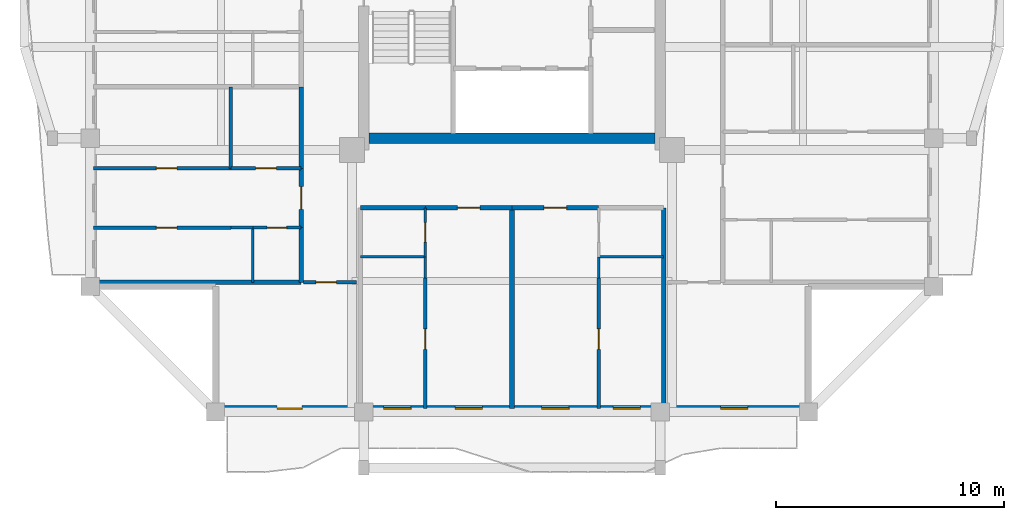
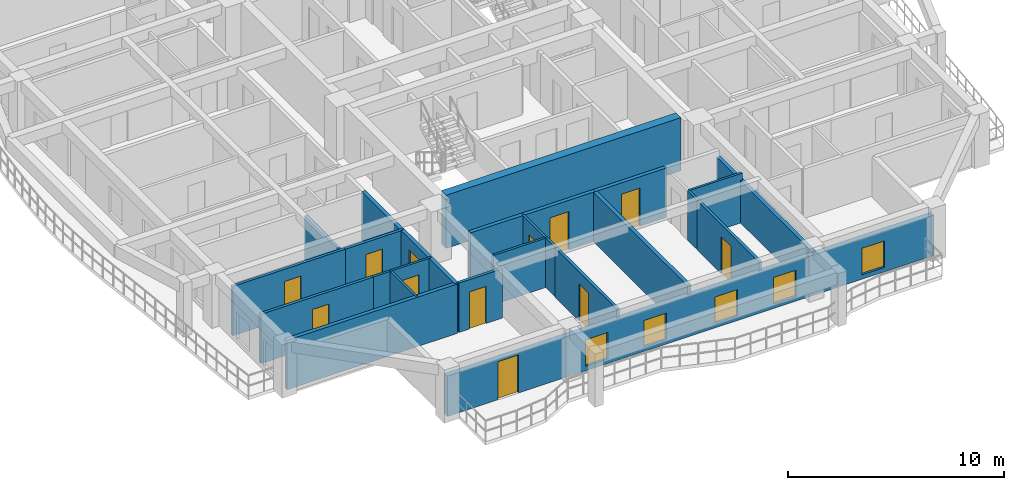
# One storey, part 2 of 13: 26 walls, 12 doors, 5 windows, 17 openings.
"""IFC4 building model written with IfcOpenShell, lengths in metres."""

from ifc_helpers import new_model, si_unit, direction, frame, frame_2d, origin, place, context, subcontext, project, spatial, rectangle, extrude, source, transform, mapped, material, layer, layer_set, type_object, element, fill, save


model = new_model("IFC4")

# Units and contexts
model_context = context("Model", 3, precision=1e-05, world=origin(), true_north=direction((0.0, 1.0)))
body_context = subcontext(model_context, "Body", "Model", "MODEL_VIEW")
ifc_project = project(units=[si_unit("LENGTHUNIT", "METRE"), si_unit("AREAUNIT", "SQUARE_METRE"), si_unit("VOLUMEUNIT", "CUBIC_METRE"), si_unit("PLANEANGLEUNIT", "RADIAN"), si_unit("MASSUNIT", "GRAM", prefix="KILO")], contexts=[model_context])

# Site, building, storey
site_placement = place(None, origin())
site = spatial("IfcSite", under=ifc_project, at=site_placement, CompositionType="ELEMENT")
building_placement = place(site_placement, origin())
building = spatial("IfcBuilding", under=site, at=building_placement, Name="Saelheon Loggia Tower", CompositionType="ELEMENT")
storey_placement = place(building_placement, frame((0.0, 0.0, 199.60009765625)))
storey = spatial("IfcBuildingStorey", under=building, at=storey_placement, Name="L62", CompositionType="ELEMENT", Elevation=199.60009765625)

# Wall
ifc_material_1 = material(Name="Concrete C45/55", Category="concrete")
ifc_layer_1 = layer(ifc_material_1, 0.449951171875)
ifc_layer_set_1 = layer_set([ifc_layer_1], Name="Concrete C45/55")
wall_type_1 = type_object("IfcWallType", Name="Wall_CoreShear_450", PredefinedType="SHEAR", material=ifc_layer_set_1)
wall_1_placement = place(storey_placement, frame((31.72509765625, 18.0, 0.0), z_axis=(0.0, 0.0, 1.0), x_axis=(1.0, 0.0, 0.0)))
element("IfcWall", 1, at=wall_1_placement, inside=storey, type_object=wall_type_1, Name="L62 Core Shear Wall South", PredefinedType="SHEAR", context=body_context, shape_type="SweptSolid", body=[
    extrude(rectangle(XDim=12.5498046875, YDim=0.449951171875, at=frame_2d((6.27490234375, 0.0))), origin(), (0.0, 0.0, 1.0), 3.0),
])

# Wall, openings, windows, door
ifc_material_2 = material(Name="Architectural Precast Concrete C40/50", Category="concrete")
ifc_layer_2 = layer(ifc_material_2, 0.280029296875)
ifc_layer_set_2 = layer_set([ifc_layer_2], Name="Architectural Precast Concrete C40/50")
wall_type_2 = type_object("IfcWallType", Name="Wall_Ext_Loggia_280", PredefinedType="SOLIDWALL", material=ifc_layer_set_2)
wall_2_placement = place(storey_placement, frame((25.0, 6.139892578125, 0.0), z_axis=(0.0, 0.0, 1.0), x_axis=(1.0, 0.0, 0.0)))
wall_2 = element("IfcWall", 2, at=wall_2_placement, inside=storey, type_object=wall_type_2, Name="L62 South Loggia Inner Wall", PredefinedType="SOLIDWALL", context=body_context, shape_type="SweptSolid", body=[
    extrude(rectangle(XDim=26.0, YDim=0.280029296875, at=frame_2d((13.0, 0.0))), origin(), (0.0, 0.0, 1.0), 2.27978515625),
])
opening_1_placement = place(wall_2_placement, frame((3.800048828125, 0.0, 0.0), z_axis=(0.0, 0.0, 1.0), x_axis=(-1.0, 0.0, 0.0)))
opening_1 = element("IfcOpeningElement", 3, at=opening_1_placement, cuts=wall_2, Name="Opening TD1", PredefinedType="OPENING", context=body_context, shape_type="SweptSolid", body=[
    extrude(rectangle(XDim=1.10009765625, YDim=2.14990234375, at=frame_2d((0.550048828125, 1.074951171875))), frame((0.0, 0.152099609375, 0.0), z_axis=(0.0, -1.0, 0.0), x_axis=(1.0, 0.0, 0.0)), (0.0, 0.0, 1.0), 0.303955078125),
])
opening_2_placement = place(wall_2_placement, frame((7.3701171875, 0.0, 0.25)))
opening_2 = element("IfcOpeningElement", 4, at=opening_2_placement, cuts=wall_2, Name="Opening WN-03", PredefinedType="OPENING", context=body_context, shape_type="SweptSolid", body=[
    extrude(rectangle(XDim=1.199951171875, YDim=1.5, at=frame_2d((0.60009765625, 0.75))), frame((0.0, 0.152099609375, 0.0), z_axis=(0.0, -1.0, 0.0), x_axis=(1.0, 0.0, 0.0)), (0.0, 0.0, 1.0), 0.303955078125),
])
opening_3_placement = place(wall_2_placement, frame((10.5, 0.0, 0.25)))
opening_3 = element("IfcOpeningElement", 5, at=opening_3_placement, cuts=wall_2, Name="Opening WN-03", PredefinedType="OPENING", context=body_context, shape_type="SweptSolid", body=[
    extrude(rectangle(XDim=1.199951171875, YDim=1.5, at=frame_2d((0.60009765625, 0.75))), frame((0.0, 0.152099609375, 0.0), z_axis=(0.0, -1.0, 0.0), x_axis=(1.0, 0.0, 0.0)), (0.0, 0.0, 1.0), 0.303955078125),
])
opening_4_placement = place(wall_2_placement, frame((14.300048828125, 0.0, 0.25)))
opening_4 = element("IfcOpeningElement", 6, at=opening_4_placement, cuts=wall_2, Name="Opening WN-03", PredefinedType="OPENING", context=body_context, shape_type="SweptSolid", body=[
    extrude(rectangle(XDim=1.199951171875, YDim=1.5, at=frame_2d((0.60009765625, 0.75))), frame((0.0, 0.152099609375, 0.0), z_axis=(0.0, -1.0, 0.0), x_axis=(1.0, 0.0, 0.0)), (0.0, 0.0, 1.0), 0.303955078125),
])
opening_5_placement = place(wall_2_placement, frame((17.429931640625, 0.0, 0.25)))
opening_5 = element("IfcOpeningElement", 7, at=opening_5_placement, cuts=wall_2, Name="Opening WN-03", PredefinedType="OPENING", context=body_context, shape_type="SweptSolid", body=[
    extrude(rectangle(XDim=1.199951171875, YDim=1.5, at=frame_2d((0.60009765625, 0.75))), frame((0.0, 0.152099609375, 0.0), z_axis=(0.0, -1.0, 0.0), x_axis=(1.0, 0.0, 0.0)), (0.0, 0.0, 1.0), 0.303955078125),
])
opening_6_placement = place(wall_2_placement, frame((22.14990234375, 0.0, 0.25)))
opening_6 = element("IfcOpeningElement", 8, at=opening_6_placement, cuts=wall_2, Name="Opening WN-03", PredefinedType="OPENING", context=body_context, shape_type="SweptSolid", body=[
    extrude(rectangle(XDim=1.199951171875, YDim=1.5, at=frame_2d((0.60009765625, 0.75))), frame((0.0, 0.152099609375, 0.0), z_axis=(0.0, -1.0, 0.0), x_axis=(1.0, 0.0, 0.0)), (0.0, 0.0, 1.0), 0.303955078125),
])
ifc_material_3 = material(Name="Thermal-Break Aluminium and Triple Low-E Glass", Category="aluminium")
window_type = type_object("IfcWindowType", Name="Win_Bedroom_1200x1500", PartitioningType="SINGLE_PANEL", PredefinedType="WINDOW", material=ifc_material_3)
shared_shape_1 = source(origin(), body_context, "Body", "SweptSolid", [
    extrude(rectangle(XDim=1.199951171875, YDim=1.5, at=frame_2d((0.60009765625, 0.75))), frame((0.0, 0.030029296875, 0.0), z_axis=(0.0, -1.0, 0.0), x_axis=(1.0, 0.0, 0.0)), (0.0, 0.0, 1.0), 0.06005859375),
])
window_1_placement = place(opening_2_placement, origin())
window_1 = element("IfcWindow", 9, at=window_1_placement, inside=storey, type_object=window_type, Name="L62 S Dwelling Window 2", OverallHeight=1.5, OverallWidth=1.199951171875, PartitioningType="SINGLE_PANEL", PredefinedType="WINDOW", context=body_context, shape_type="MappedRepresentation", body=[
    mapped(shared_shape_1, transform((0.0, 0.0, 0.0), scale=1.0)),
])
fill(opening_2, window_1)
window_2_placement = place(opening_3_placement, origin())
window_2 = element("IfcWindow", 10, at=window_2_placement, inside=storey, type_object=window_type, Name="L62 S Dwelling Window 3", OverallHeight=1.5, OverallWidth=1.199951171875, PartitioningType="SINGLE_PANEL", PredefinedType="WINDOW", context=body_context, shape_type="MappedRepresentation", body=[
    mapped(shared_shape_1, transform((0.0, 0.0, 0.0), scale=1.0)),
])
fill(opening_3, window_2)
window_3_placement = place(opening_4_placement, origin())
window_3 = element("IfcWindow", 11, at=window_3_placement, inside=storey, type_object=window_type, Name="L62 S Dwelling Window 4", OverallHeight=1.5, OverallWidth=1.199951171875, PartitioningType="SINGLE_PANEL", PredefinedType="WINDOW", context=body_context, shape_type="MappedRepresentation", body=[
    mapped(shared_shape_1, transform((0.0, 0.0, 0.0), scale=1.0)),
])
fill(opening_4, window_3)
window_4_placement = place(opening_5_placement, origin())
window_4 = element("IfcWindow", 12, at=window_4_placement, inside=storey, type_object=window_type, Name="L62 S Dwelling Window 5", OverallHeight=1.5, OverallWidth=1.199951171875, PartitioningType="SINGLE_PANEL", PredefinedType="WINDOW", context=body_context, shape_type="MappedRepresentation", body=[
    mapped(shared_shape_1, transform((0.0, 0.0, 0.0), scale=1.0)),
])
fill(opening_5, window_4)
window_5_placement = place(opening_6_placement, origin())
window_5 = element("IfcWindow", 13, at=window_5_placement, inside=storey, type_object=window_type, Name="L62 S Dwelling Window 6", OverallHeight=1.5, OverallWidth=1.199951171875, PartitioningType="SINGLE_PANEL", PredefinedType="WINDOW", context=body_context, shape_type="MappedRepresentation", body=[
    mapped(shared_shape_1, transform((0.0, 0.0, 0.0), scale=1.0)),
])
fill(opening_6, window_5)
ifc_material_4 = material(Name="Thermal-Break Aluminium Glazed Door", Category="aluminium")
door_type_1 = type_object("IfcDoorType", Name="Door_Terrace_TD1", OperationType="NOTDEFINED", PredefinedType="DOOR", material=ifc_material_4)
shared_shape_2 = source(origin(), body_context, "Body", "SweptSolid", [
    extrude(rectangle(XDim=1.10009765625, YDim=2.14990234375, at=frame_2d((0.550048828125, 1.074951171875))), frame((0.0, 0.02490234375, 0.0), z_axis=(0.0, -1.0, 0.0), x_axis=(1.0, 0.0, 0.0)), (0.0, 0.0, 1.0), 0.050048828125),
])
door_1_placement = place(opening_1_placement, origin())
door_1 = element("IfcDoor", 14, at=door_1_placement, inside=storey, type_object=door_type_1, Name="L62 S Loggia Access Door", OperationType="SINGLE_SWING_LEFT", OverallHeight=2.14990234375, OverallWidth=1.10009765625, PredefinedType="DOOR", context=body_context, shape_type="MappedRepresentation", body=[
    mapped(shared_shape_2, transform((0.0, 0.0, 0.0), scale=1.0)),
])
fill(opening_1, door_1)

# Wall, opening, door
ifc_material_5 = material(Name="Lightweight Autoclaved Aerated Concrete Block and Acoustic Gypsum", Category="concrete")
ifc_layer_3 = layer(ifc_material_5, 0.14990234375)
ifc_layer_set_3 = layer_set([ifc_layer_3], Name="Lightweight Autoclaved Aerated Concrete Block and Acoustic Gypsum")
wall_type_3 = type_object("IfcWallType", Name="Wall_Part_150", PredefinedType="PARTITIONING", material=ifc_layer_set_3)
wall_3_placement = place(storey_placement, frame((28.85009765625, 11.679931640625, 0.0), z_axis=(0.0, 0.0, 1.0), x_axis=(1.0, 0.0, 0.0)))
wall_3 = element("IfcWall", 15, at=wall_3_placement, inside=storey, type_object=wall_type_3, Name="PW-L62-CSW-H", PredefinedType="PARTITIONING", context=body_context, shape_type="SweptSolid", body=[
    extrude(rectangle(XDim=2.329833984375, YDim=0.14990234375, at=frame_2d((1.1650390625, 0.0))), origin(), (0.0, 0.0, 1.0), 2.789794921875),
])
opening_7_placement = place(wall_3_placement, frame((0.550048828125, 0.0, 0.0)))
opening_7 = element("IfcOpeningElement", 16, at=opening_7_placement, cuts=wall_3, Name="Opening D-IN2", PredefinedType="OPENING", context=body_context, shape_type="SweptSolid", body=[
    extrude(rectangle(XDim=0.89990234375, YDim=2.10009765625, at=frame_2d((0.449951171875, 1.050048828125))), frame((0.0, 0.0869140625, 0.0), z_axis=(0.0, -1.0, 0.0), x_axis=(1.0, 0.0, 0.0)), (0.0, 0.0, 1.0), 0.173828125),
])
ifc_material_6 = material(Name="Engineered Oak Flush Door", Category="timber")
door_type_2 = type_object("IfcDoorType", Name="Door_Int_900", OperationType="NOTDEFINED", PredefinedType="DOOR", material=ifc_material_6)
shared_shape_3 = source(origin(), body_context, "Body", "SweptSolid", [
    extrude(rectangle(XDim=0.89990234375, YDim=2.10009765625, at=frame_2d((0.449951171875, 1.050048828125))), frame((0.0, 0.02490234375, 0.0), z_axis=(0.0, -1.0, 0.0), x_axis=(1.0, 0.0, 0.0)), (0.0, 0.0, 1.0), 0.050048828125),
])
door_2_placement = place(opening_7_placement, origin())
door_2 = element("IfcDoor", 17, at=door_2_placement, inside=storey, type_object=door_type_2, Name="L62 Corner Home Office SW Door", OperationType="SINGLE_SWING_RIGHT", OverallHeight=2.10009765625, OverallWidth=0.89990234375, PredefinedType="DOOR", context=body_context, shape_type="MappedRepresentation", body=[
    mapped(shared_shape_3, transform((0.0, 0.0, 0.0), scale=1.0)),
])
fill(opening_7, door_2)

wall_4_placement = place(storey_placement, frame((34.199951171875, 11.8701171875, 0.0), z_axis=(0.0, 0.0, 1.0), x_axis=(0.0, -1.0, 0.0)))
wall_4 = element("IfcWall", 18, at=wall_4_placement, inside=storey, type_object=wall_type_3, Name="L62 S Partition U08", PredefinedType="PARTITIONING", context=body_context, shape_type="SweptSolid", body=[
    extrude(rectangle(XDim=5.72021484375, YDim=0.14990234375, at=frame_2d((2.860107421875, 0.0))), origin(), (0.0, 0.0, 1.0), 2.789794921875),
])
opening_8_placement = place(wall_4_placement, frame((2.229248046875, 0.0, 0.0)))
opening_8 = element("IfcOpeningElement", 19, at=opening_8_placement, cuts=wall_4, Name="Opening D-IN2", PredefinedType="OPENING", context=body_context, shape_type="SweptSolid", body=[
    extrude(rectangle(XDim=0.89990234375, YDim=2.10009765625, at=frame_2d((0.449951171875, 1.050048828125))), frame((0.0, 0.0869140625, 0.0), z_axis=(0.0, -1.0, 0.0), x_axis=(1.0, 0.0, 0.0)), (0.0, 0.0, 1.0), 0.173828125),
])
door_3_placement = place(opening_8_placement, origin())
door_3 = element("IfcDoor", 20, at=door_3_placement, inside=storey, type_object=door_type_2, Name="Unit U01 Kitchen Door", OperationType="SINGLE_SWING_RIGHT", OverallHeight=2.10009765625, OverallWidth=0.89990234375, PredefinedType="DOOR", context=body_context, shape_type="MappedRepresentation", body=[
    mapped(shared_shape_3, transform((0.0, 0.0, 0.0), scale=1.0)),
])
fill(opening_8, door_3)

wall_5_placement = place(storey_placement, frame((41.800048828125, 11.8701171875, 0.0), z_axis=(0.0, 0.0, 1.0), x_axis=(0.0, -1.0, 0.0)))
wall_5 = element("IfcWall", 21, at=wall_5_placement, inside=storey, type_object=wall_type_3, Name="L62 S Partition U15", PredefinedType="PARTITIONING", context=body_context, shape_type="SweptSolid", body=[
    extrude(rectangle(XDim=5.72021484375, YDim=0.14990234375, at=frame_2d((2.860107421875, 0.0))), origin(), (0.0, 0.0, 1.0), 2.789794921875),
])
opening_9_placement = place(wall_5_placement, frame((2.229248046875, 0.0, 0.0)))
opening_9 = element("IfcOpeningElement", 22, at=opening_9_placement, cuts=wall_5, Name="Opening D-IN2", PredefinedType="OPENING", context=body_context, shape_type="SweptSolid", body=[
    extrude(rectangle(XDim=0.89990234375, YDim=2.10009765625, at=frame_2d((0.449951171875, 1.050048828125))), frame((0.0, 0.0869140625, 0.0), z_axis=(0.0, -1.0, 0.0), x_axis=(1.0, 0.0, 0.0)), (0.0, 0.0, 1.0), 0.173828125),
])
door_4_placement = place(opening_9_placement, origin())
door_4 = element("IfcDoor", 23, at=door_4_placement, inside=storey, type_object=door_type_2, Name="Unit U02 Kitchen Door", OperationType="SINGLE_SWING_LEFT", OverallHeight=2.10009765625, OverallWidth=0.89990234375, PredefinedType="DOOR", context=body_context, shape_type="MappedRepresentation", body=[
    mapped(shared_shape_3, transform((0.0, 0.0, 0.0), scale=1.0)),
])
fill(opening_9, door_4)

# Wall
wall_6_placement = place(storey_placement, frame((25.669921875, 16.679931640625, 0.0), z_axis=(0.0, 0.0, 1.0), x_axis=(0.0, 1.0, 0.0)))
element("IfcWall", 24, at=wall_6_placement, inside=storey, type_object=wall_type_3, Name="L62 W Partition V07", PredefinedType="PARTITIONING", context=body_context, shape_type="SweptSolid", body=[
    extrude(rectangle(XDim=3.579345703125, YDim=0.14990234375, at=frame_2d((1.78955078125, 0.0))), origin(), (0.0, 0.0, 1.0), 2.489990234375),
])

# Wall, opening, door
wall_7_placement = place(storey_placement, frame((25.669921875, 14.082275390625, 0.0), z_axis=(0.0, 0.0, 1.0), x_axis=(-1.0, 0.0, 0.0)))
wall_7 = element("IfcWall", 25, at=wall_7_placement, inside=storey, type_object=wall_type_3, Name="L62 W Partition U10", PredefinedType="PARTITIONING", context=body_context, shape_type="SweptSolid", body=[
    extrude(rectangle(XDim=6.02001953125, YDim=0.14990234375, at=frame_2d((3.010009765625, 0.0))), origin(), (0.0, 0.0, 1.0), 2.789794921875),
])
opening_10_placement = place(wall_7_placement, frame((2.36669921875, 0.0, 0.0)))
opening_10 = element("IfcOpeningElement", 26, at=opening_10_placement, cuts=wall_7, Name="Opening D-IN2", PredefinedType="OPENING", context=body_context, shape_type="SweptSolid", body=[
    extrude(rectangle(XDim=0.89990234375, YDim=2.10009765625, at=frame_2d((0.449951171875, 1.050048828125))), frame((0.0, 0.0869140625, 0.0), z_axis=(0.0, -1.0, 0.0), x_axis=(1.0, 0.0, 0.0)), (0.0, 0.0, 1.0), 0.173828125),
])
door_5_placement = place(opening_10_placement, origin())
door_5 = element("IfcDoor", 27, at=door_5_placement, inside=storey, type_object=door_type_2, Name="Unit U05 Kitchen Door", OperationType="SINGLE_SWING_LEFT", OverallHeight=2.10009765625, OverallWidth=0.89990234375, PredefinedType="DOOR", context=body_context, shape_type="MappedRepresentation", body=[
    mapped(shared_shape_3, transform((0.0, 0.0, 0.0), scale=1.0)),
])
fill(opening_10, door_5)

wall_8_placement = place(storey_placement, frame((28.75, 16.679931640625, 0.0), z_axis=(0.0, 0.0, 1.0), x_axis=(-1.0, 0.0, 0.0)))
wall_8 = element("IfcWall", 28, at=wall_8_placement, inside=storey, type_object=wall_type_3, Name="L62 W Partition U11", PredefinedType="PARTITIONING", context=body_context, shape_type="SweptSolid", body=[
    extrude(rectangle(XDim=3.080078125, YDim=0.14990234375, at=frame_2d((1.5400390625, 0.0))), origin(), (0.0, 0.0, 1.0), 2.789794921875),
])
opening_11_placement = place(wall_8_placement, frame((1.090087890625, 0.0, 0.0)))
opening_11 = element("IfcOpeningElement", 29, at=opening_11_placement, cuts=wall_8, Name="Opening D-IN2", PredefinedType="OPENING", context=body_context, shape_type="SweptSolid", body=[
    extrude(rectangle(XDim=0.89990234375, YDim=2.10009765625, at=frame_2d((0.449951171875, 1.050048828125))), frame((0.0, 0.0869140625, 0.0), z_axis=(0.0, -1.0, 0.0), x_axis=(1.0, 0.0, 0.0)), (0.0, 0.0, 1.0), 0.173828125),
])
door_6_placement = place(opening_11_placement, origin())
door_6 = element("IfcDoor", 30, at=door_6_placement, inside=storey, type_object=door_type_2, Name="Unit U05 Dressing Closet Door", OperationType="SINGLE_SWING_RIGHT", OverallHeight=2.10009765625, OverallWidth=0.89990234375, PredefinedType="DOOR", context=body_context, shape_type="MappedRepresentation", body=[
    mapped(shared_shape_3, transform((0.0, 0.0, 0.0), scale=1.0)),
])
fill(opening_11, door_6)

wall_9_placement = place(storey_placement, frame((25.669921875, 16.679931640625, 0.0), z_axis=(0.0, 0.0, 1.0), x_axis=(-1.0, 0.0, 0.0)))
wall_9 = element("IfcWall", 31, at=wall_9_placement, inside=storey, type_object=wall_type_3, Name="L62 W Partition U12", PredefinedType="PARTITIONING", context=body_context, shape_type="SweptSolid", body=[
    extrude(rectangle(XDim=6.02001953125, YDim=0.14990234375, at=frame_2d((3.010009765625, 0.0))), origin(), (0.0, 0.0, 1.0), 2.789794921875),
])
opening_12_placement = place(wall_9_placement, frame((2.36669921875, 0.0, 0.0)))
opening_12 = element("IfcOpeningElement", 32, at=opening_12_placement, cuts=wall_9, Name="Opening D-IN2", PredefinedType="OPENING", context=body_context, shape_type="SweptSolid", body=[
    extrude(rectangle(XDim=0.89990234375, YDim=2.10009765625, at=frame_2d((0.449951171875, 1.050048828125))), frame((0.0, 0.0869140625, 0.0), z_axis=(0.0, -1.0, 0.0), x_axis=(1.0, 0.0, 0.0)), (0.0, 0.0, 1.0), 0.173828125),
])
door_7_placement = place(opening_12_placement, origin())
door_7 = element("IfcDoor", 33, at=door_7_placement, inside=storey, type_object=door_type_2, Name="Unit U05 Bedroom 1 Door", OperationType="SINGLE_SWING_LEFT", OverallHeight=2.10009765625, OverallWidth=0.89990234375, PredefinedType="DOOR", context=body_context, shape_type="MappedRepresentation", body=[
    mapped(shared_shape_3, transform((0.0, 0.0, 0.0), scale=1.0)),
])
fill(opening_12, door_7)

# Walls
ifc_material_7 = material(Name="Double Acoustic Stud and Fireboard Partition", Category="gypsum")
ifc_layer_4 = layer(ifc_material_7, 0.199951171875)
ifc_layer_set_4 = layer_set([ifc_layer_4], Name="Double Acoustic Stud and Fireboard Partition")
wall_type_4 = type_object("IfcWallType", Name="Wall_Party_200", PredefinedType="PARTITIONING", material=ifc_layer_set_4)
wall_10_placement = place(storey_placement, frame((44.64990234375, 14.949951171875, 0.0), z_axis=(0.0, 0.0, 1.0), x_axis=(0.0, -1.0, 0.0)))
element("IfcWall", 34, at=wall_10_placement, inside=storey, type_object=wall_type_4, Name="L62 S Partition U02", PredefinedType="PARTITIONING", context=body_context, shape_type="SweptSolid", body=[
    extrude(rectangle(XDim=8.800048828125, YDim=0.199951171875, at=frame_2d((4.39990234375, 0.0))), origin(), (0.0, 0.0, 1.0), 2.389892578125),
])
wall_11_placement = place(storey_placement, frame((31.35009765625, 14.949951171875, 0.0), z_axis=(0.0, 0.0, 1.0), x_axis=(1.0, 0.0, 0.0)))
element("IfcWall", 35, at=wall_11_placement, inside=storey, type_object=wall_type_4, Name="L62 S Partition V03", PredefinedType="PARTITIONING", context=body_context, shape_type="SweptSolid", body=[
    extrude(rectangle(XDim=2.849853515625, YDim=0.199951171875, at=frame_2d((1.4248046875, 0.0))), origin(), (0.0, 0.0, 1.0), 2.789794921875),
])

# Wall, opening, door
wall_12_placement = place(storey_placement, frame((34.199951171875, 14.949951171875, 0.0), z_axis=(0.0, 0.0, 1.0), x_axis=(1.0, 0.0, 0.0)))
wall_12 = element("IfcWall", 36, at=wall_12_placement, inside=storey, type_object=wall_type_4, Name="L62 S Partition V04", PredefinedType="PARTITIONING", context=body_context, shape_type="SweptSolid", body=[
    extrude(rectangle(XDim=3.800048828125, YDim=0.199951171875, at=frame_2d((1.89990234375, 0.0))), origin(), (0.0, 0.0, 1.0), 2.789794921875),
])
opening_13_placement = place(wall_12_placement, frame((1.39990234375, 0.0, 0.0)))
opening_13 = element("IfcOpeningElement", 37, at=opening_13_placement, cuts=wall_12, Name="Opening D-FD1", PredefinedType="OPENING", context=body_context, shape_type="SweptSolid", body=[
    extrude(rectangle(XDim=1.0, YDim=2.14990234375, at=frame_2d((0.5, 1.074951171875))), frame((0.0, 0.112060546875, 0.0), z_axis=(0.0, -1.0, 0.0), x_axis=(1.0, 0.0, 0.0)), (0.0, 0.0, 1.0), 0.223876953125),
])
ifc_material_8 = material(Name="Fire-Rated Engineered Timber Entrance Door", Category="wood")
door_type_3 = type_object("IfcDoorType", Name="Door_Flat_FD30S", OperationType="NOTDEFINED", PredefinedType="DOOR", material=ifc_material_8)
shared_shape_4 = source(origin(), body_context, "Body", "SweptSolid", [
    extrude(rectangle(XDim=1.0, YDim=2.14990234375, at=frame_2d((0.5, 1.074951171875))), frame((0.0, 0.02490234375, 0.0), z_axis=(0.0, -1.0, 0.0), x_axis=(1.0, 0.0, 0.0)), (0.0, 0.0, 1.0), 0.050048828125),
])
door_8_placement = place(opening_13_placement, origin())
door_8 = element("IfcDoor", 38, at=door_8_placement, inside=storey, type_object=door_type_3, Name="Unit U01 Entrance Door", OperationType="SINGLE_SWING_RIGHT", OverallHeight=2.14990234375, OverallWidth=1.0, PredefinedType="DOOR", context=body_context, shape_type="MappedRepresentation", body=[
    mapped(shared_shape_4, transform((0.0, 0.0, 0.0), scale=1.0)),
])
fill(opening_13, door_8)

# Wall
wall_13_placement = place(storey_placement, frame((38.0, 14.949951171875, 0.0), z_axis=(0.0, 0.0, 1.0), x_axis=(0.0, -1.0, 0.0)))
element("IfcWall", 39, at=wall_13_placement, inside=storey, type_object=wall_type_4, Name="L62 S Partition U09", PredefinedType="PARTITIONING", context=body_context, shape_type="SweptSolid", body=[
    extrude(rectangle(XDim=8.800048828125, YDim=0.199951171875, at=frame_2d((4.39990234375, 0.0))), origin(), (0.0, 0.0, 1.0), 2.789794921875),
])

# Wall, opening, door
wall_14_placement = place(storey_placement, frame((38.0, 14.949951171875, 0.0), z_axis=(0.0, 0.0, 1.0), x_axis=(1.0, 0.0, 0.0)))
wall_14 = element("IfcWall", 40, at=wall_14_placement, inside=storey, type_object=wall_type_4, Name="L62 S Partition V10", PredefinedType="PARTITIONING", context=body_context, shape_type="SweptSolid", body=[
    extrude(rectangle(XDim=3.800048828125, YDim=0.199951171875, at=frame_2d((1.89990234375, 0.0))), origin(), (0.0, 0.0, 1.0), 2.789794921875),
])
opening_14_placement = place(wall_14_placement, frame((1.39990234375, 0.0, 0.0)))
opening_14 = element("IfcOpeningElement", 41, at=opening_14_placement, cuts=wall_14, Name="Opening D-FD1", PredefinedType="OPENING", context=body_context, shape_type="SweptSolid", body=[
    extrude(rectangle(XDim=1.0, YDim=2.14990234375, at=frame_2d((0.5, 1.074951171875))), frame((0.0, 0.112060546875, 0.0), z_axis=(0.0, -1.0, 0.0), x_axis=(1.0, 0.0, 0.0)), (0.0, 0.0, 1.0), 0.223876953125),
])
door_9_placement = place(opening_14_placement, origin())
door_9 = element("IfcDoor", 42, at=door_9_placement, inside=storey, type_object=door_type_3, Name="Unit U02 Entrance Door", OperationType="SINGLE_SWING_LEFT", OverallHeight=2.14990234375, OverallWidth=1.0, PredefinedType="DOOR", context=body_context, shape_type="MappedRepresentation", body=[
    mapped(shared_shape_4, transform((0.0, 0.0, 0.0), scale=1.0)),
])
fill(opening_14, door_9)

# Walls
wall_15_placement = place(storey_placement, frame((28.75, 11.679931640625, 0.0), z_axis=(0.0, 0.0, 1.0), x_axis=(-1.0, 0.0, 0.0)))
element("IfcWall", 43, at=wall_15_placement, inside=storey, type_object=wall_type_4, Name="L62 W Partition U01", PredefinedType="PARTITIONING", context=body_context, shape_type="SweptSolid", body=[
    extrude(rectangle(XDim=9.10009765625, YDim=0.199951171875, at=frame_2d((4.550048828125, 0.0))), origin(), (0.0, 0.0, 1.0), 2.789794921875),
])
wall_16_placement = place(storey_placement, frame((28.75, 11.679931640625, 0.0), z_axis=(0.0, 0.0, 1.0), x_axis=(0.0, 1.0, 0.0)))
element("IfcWall", 44, at=wall_16_placement, inside=storey, type_object=wall_type_4, Name="L62 W Partition V03", PredefinedType="PARTITIONING", context=body_context, shape_type="SweptSolid", body=[
    extrude(rectangle(XDim=2.40234375, YDim=0.199951171875, at=frame_2d((1.201171875, 0.0))), origin(), (0.0, 0.0, 1.0), 2.789794921875),
])

# Wall, opening, door
wall_17_placement = place(storey_placement, frame((28.75, 14.082275390625, 0.0), z_axis=(0.0, 0.0, 1.0), x_axis=(0.0, 1.0, 0.0)))
wall_17 = element("IfcWall", 45, at=wall_17_placement, inside=storey, type_object=wall_type_4, Name="L62 W Partition V04", PredefinedType="PARTITIONING", context=body_context, shape_type="SweptSolid", body=[
    extrude(rectangle(XDim=2.59765625, YDim=0.199951171875, at=frame_2d((1.298828125, 0.0))), origin(), (0.0, 0.0, 1.0), 2.789794921875),
])
opening_15_placement = place(wall_17_placement, frame((0.798828125, 0.0, 0.0)))
opening_15 = element("IfcOpeningElement", 46, at=opening_15_placement, cuts=wall_17, Name="Opening D-FD1", PredefinedType="OPENING", context=body_context, shape_type="SweptSolid", body=[
    extrude(rectangle(XDim=1.0, YDim=2.14990234375, at=frame_2d((0.5, 1.074951171875))), frame((0.0, 0.112060546875, 0.0), z_axis=(0.0, -1.0, 0.0), x_axis=(1.0, 0.0, 0.0)), (0.0, 0.0, 1.0), 0.223876953125),
])
door_10_placement = place(opening_15_placement, origin())
door_10 = element("IfcDoor", 47, at=door_10_placement, inside=storey, type_object=door_type_3, Name="Unit U05 Entrance Door", OperationType="SINGLE_SWING_LEFT", OverallHeight=2.14990234375, OverallWidth=1.0, PredefinedType="DOOR", context=body_context, shape_type="MappedRepresentation", body=[
    mapped(shared_shape_4, transform((0.0, 0.0, 0.0), scale=1.0)),
])
fill(opening_15, door_10)

# Wall
wall_18_placement = place(storey_placement, frame((28.75, 16.679931640625, 0.0), z_axis=(0.0, 0.0, 1.0), x_axis=(0.0, 1.0, 0.0)))
element("IfcWall", 48, at=wall_18_placement, inside=storey, type_object=wall_type_4, Name="L62 W Partition V05", PredefinedType="PARTITIONING", context=body_context, shape_type="SweptSolid", body=[
    extrude(rectangle(XDim=3.579345703125, YDim=0.199951171875, at=frame_2d((1.78955078125, 0.0))), origin(), (0.0, 0.0, 1.0), 2.789794921875),
])

# Wall, opening, door
ifc_material_9 = material(Name="Moisture-Resistant Cement Board Partition", Category="gypsum")
ifc_layer_5 = layer(ifc_material_9, 0.1201171875)
ifc_layer_set_5 = layer_set([ifc_layer_5], Name="Moisture-Resistant Cement Board Partition")
wall_type_5 = type_object("IfcWallType", Name="Wall_WetPart_120", PredefinedType="PARTITIONING", material=ifc_layer_set_5)
wall_19_placement = place(storey_placement, frame((34.199951171875, 14.949951171875, 0.0), z_axis=(0.0, 0.0, 1.0), x_axis=(0.0, -1.0, 0.0)))
wall_19 = element("IfcWall", 49, at=wall_19_placement, inside=storey, type_object=wall_type_5, Name="L62 S Partition U05", PredefinedType="PARTITIONING", context=body_context, shape_type="SweptSolid", body=[
    extrude(rectangle(XDim=2.14990234375, YDim=0.1201171875, at=frame_2d((1.074951171875, 0.0))), origin(), (0.0, 0.0, 1.0), 2.789794921875),
])
opening_16_placement = place(wall_19_placement, frame((0.64990234375, 0.0, 0.0)))
opening_16 = element("IfcOpeningElement", 50, at=opening_16_placement, cuts=wall_19, Name="Opening D-BT1", PredefinedType="OPENING", context=body_context, shape_type="SweptSolid", body=[
    extrude(rectangle(XDim=0.85009765625, YDim=2.050048828125, at=frame_2d((0.425048828125, 1.02490234375))), frame((0.0, 0.072021484375, 0.0), z_axis=(0.0, -1.0, 0.0), x_axis=(1.0, 0.0, 0.0)), (0.0, 0.0, 1.0), 0.14404296875),
])
ifc_material_10 = material(Name="Moisture-Resistant Laminate Timber Door", Category="wood")
door_type_4 = type_object("IfcDoorType", Name="Door_Bath_850", OperationType="NOTDEFINED", PredefinedType="DOOR", material=ifc_material_10)
shared_shape_5 = source(origin(), body_context, "Body", "SweptSolid", [
    extrude(rectangle(XDim=0.85009765625, YDim=2.050048828125, at=frame_2d((0.425048828125, 1.02490234375))), frame((0.0, 0.02490234375, 0.0), z_axis=(0.0, -1.0, 0.0), x_axis=(1.0, 0.0, 0.0)), (0.0, 0.0, 1.0), 0.050048828125),
])
door_11_placement = place(opening_16_placement, origin())
door_11 = element("IfcDoor", 51, at=door_11_placement, inside=storey, type_object=door_type_4, Name="Unit U01 Bathroom Door", OperationType="SINGLE_SWING_LEFT", OverallHeight=2.050048828125, OverallWidth=0.85009765625, PredefinedType="DOOR", context=body_context, shape_type="MappedRepresentation", body=[
    mapped(shared_shape_5, transform((0.0, 0.0, 0.0), scale=1.0)),
])
fill(opening_16, door_11)

# Walls
wall_20_placement = place(storey_placement, frame((34.199951171875, 12.800048828125, 0.0), z_axis=(0.0, 0.0, 1.0), x_axis=(0.0, -1.0, 0.0)))
element("IfcWall", 52, at=wall_20_placement, inside=storey, type_object=wall_type_5, Name="L62 S Partition U06", PredefinedType="PARTITIONING", context=body_context, shape_type="SweptSolid", body=[
    extrude(rectangle(XDim=0.929931640625, YDim=0.1201171875, at=frame_2d((0.46484375, 0.0))), origin(), (0.0, 0.0, 1.0), 2.789794921875),
])
wall_21_placement = place(storey_placement, frame((31.35009765625, 12.800048828125, 0.0), z_axis=(0.0, 0.0, 1.0), x_axis=(1.0, 0.0, 0.0)))
element("IfcWall", 53, at=wall_21_placement, inside=storey, type_object=wall_type_5, Name="L62 S Partition V07", PredefinedType="PARTITIONING", context=body_context, shape_type="SweptSolid", body=[
    extrude(rectangle(XDim=2.849853515625, YDim=0.1201171875, at=frame_2d((1.4248046875, 0.0))), origin(), (0.0, 0.0, 1.0), 2.789794921875),
])
wall_22_placement = place(storey_placement, frame((41.800048828125, 12.800048828125, 0.0), z_axis=(0.0, 0.0, 1.0), x_axis=(0.0, -1.0, 0.0)))
element("IfcWall", 54, at=wall_22_placement, inside=storey, type_object=wall_type_5, Name="L62 S Partition U13", PredefinedType="PARTITIONING", context=body_context, shape_type="SweptSolid", body=[
    extrude(rectangle(XDim=0.929931640625, YDim=0.1201171875, at=frame_2d((0.46484375, 0.0))), origin(), (0.0, 0.0, 1.0), 2.789794921875),
])
wall_23_placement = place(storey_placement, frame((41.800048828125, 12.800048828125, 0.0), z_axis=(0.0, 0.0, 1.0), x_axis=(1.0, 0.0, 0.0)))
element("IfcWall", 55, at=wall_23_placement, inside=storey, type_object=wall_type_5, Name="L62 S Partition V14", PredefinedType="PARTITIONING", context=body_context, shape_type="SweptSolid", body=[
    extrude(rectangle(XDim=2.849853515625, YDim=0.1201171875, at=frame_2d((1.4248046875, 0.0))), origin(), (0.0, 0.0, 1.0), 2.789794921875),
])
wall_24_placement = place(storey_placement, frame((26.6298828125, 11.679931640625, 0.0), z_axis=(0.0, 0.0, 1.0), x_axis=(0.0, 1.0, 0.0)))
element("IfcWall", 56, at=wall_24_placement, inside=storey, type_object=wall_type_5, Name="L62 W Partition V06", PredefinedType="PARTITIONING", context=body_context, shape_type="SweptSolid", body=[
    extrude(rectangle(XDim=2.40234375, YDim=0.1201171875, at=frame_2d((1.201171875, 0.0))), origin(), (0.0, 0.0, 1.0), 2.789794921875),
])

# Wall, opening, door
wall_25_placement = place(storey_placement, frame((28.75, 14.082275390625, 0.0), z_axis=(0.0, 0.0, 1.0), x_axis=(-1.0, 0.0, 0.0)))
wall_25 = element("IfcWall", 57, at=wall_25_placement, inside=storey, type_object=wall_type_5, Name="L62 W Partition U08", PredefinedType="PARTITIONING", context=body_context, shape_type="SweptSolid", body=[
    extrude(rectangle(XDim=2.1201171875, YDim=0.1201171875, at=frame_2d((1.06005859375, 0.0))), origin(), (0.0, 0.0, 1.0), 2.789794921875),
])
opening_17_placement = place(wall_25_placement, frame((0.635009765625, 0.0, 0.0)))
opening_17 = element("IfcOpeningElement", 58, at=opening_17_placement, cuts=wall_25, Name="Opening D-BT1", PredefinedType="OPENING", context=body_context, shape_type="SweptSolid", body=[
    extrude(rectangle(XDim=0.85009765625, YDim=2.050048828125, at=frame_2d((0.425048828125, 1.02490234375))), frame((0.0, 0.072021484375, 0.0), z_axis=(0.0, -1.0, 0.0), x_axis=(1.0, 0.0, 0.0)), (0.0, 0.0, 1.0), 0.14404296875),
])
door_12_placement = place(opening_17_placement, origin())
door_12 = element("IfcDoor", 59, at=door_12_placement, inside=storey, type_object=door_type_4, Name="Unit U05 Bathroom Door", OperationType="SINGLE_SWING_RIGHT", OverallHeight=2.050048828125, OverallWidth=0.85009765625, PredefinedType="DOOR", context=body_context, shape_type="MappedRepresentation", body=[
    mapped(shared_shape_5, transform((0.0, 0.0, 0.0), scale=1.0)),
])
fill(opening_17, door_12)

# Wall
wall_26_placement = place(storey_placement, frame((26.6298828125, 14.082275390625, 0.0), z_axis=(0.0, 0.0, 1.0), x_axis=(-1.0, 0.0, 0.0)))
element("IfcWall", 60, at=wall_26_placement, inside=storey, type_object=wall_type_5, Name="L62 W Partition U09", PredefinedType="PARTITIONING", context=body_context, shape_type="SweptSolid", body=[
    extrude(rectangle(XDim=0.9599609375, YDim=0.1201171875, at=frame_2d((0.47998046875, 0.0))), origin(), (0.0, 0.0, 1.0), 2.789794921875),
])

save(model, "model.ifc")
